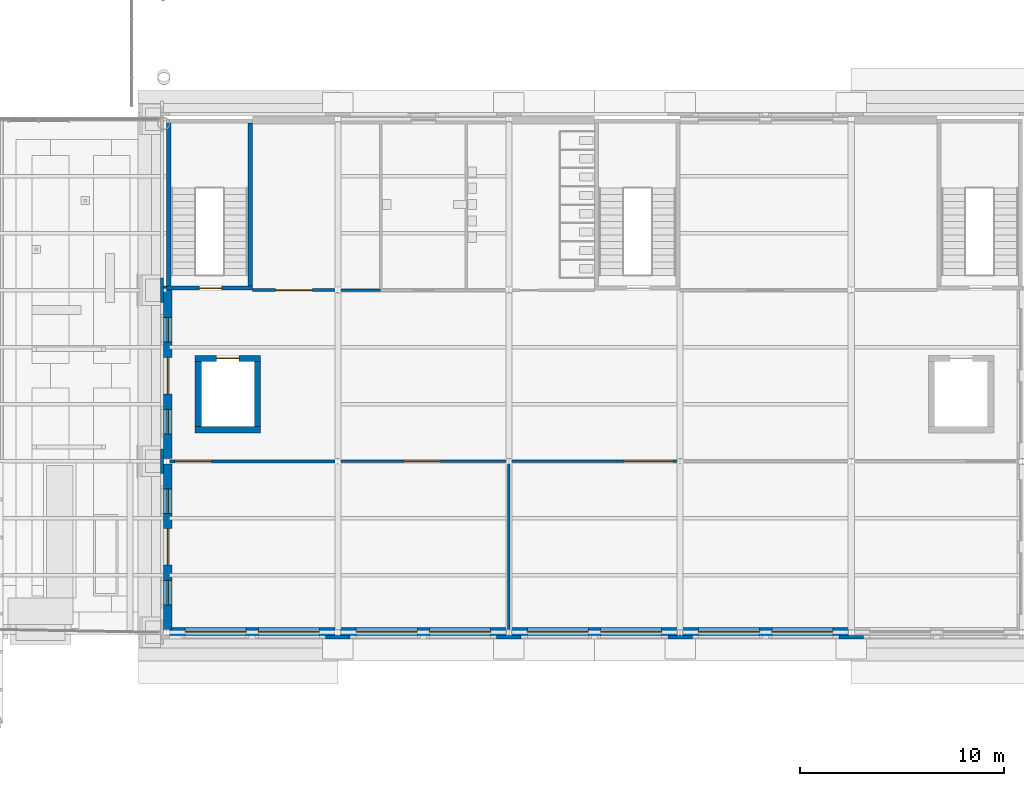
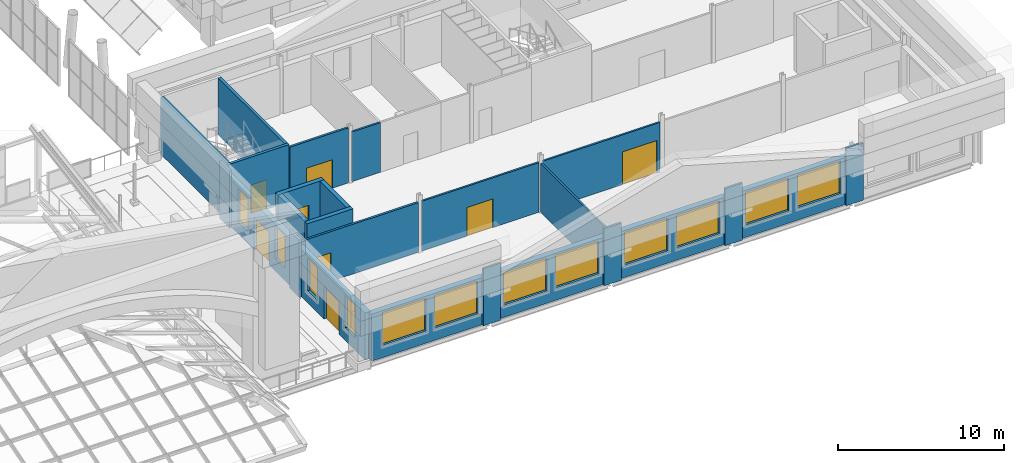
# One storey, part 43 of 76: 25 walls, 12 windows, 8 doors, 20 openings.
"""IFC4 building model written with IfcOpenShell, lengths in metres."""

from ifc_helpers import new_model, si_unit, direction, frame, frame_2d, origin, place, context, subcontext, project, spatial, rectangle, extrude, material, layer, layer_set, type_object, element, fill, save


model = new_model("IFC4")

# Units and contexts
model_context = context("Model", 3, precision=1e-05, world=origin(), true_north=direction((0.0, 1.0)))
body_context = subcontext(model_context, "Body", "Model", "MODEL_VIEW")
ifc_project = project(units=[si_unit("LENGTHUNIT", "METRE"), si_unit("AREAUNIT", "SQUARE_METRE"), si_unit("VOLUMEUNIT", "CUBIC_METRE"), si_unit("PLANEANGLEUNIT", "RADIAN"), si_unit("MASSUNIT", "GRAM", prefix="KILO")], contexts=[model_context])

# Site, building, storey
site_placement = place(None, origin())
site = spatial("IfcSite", under=ifc_project, at=site_placement, CompositionType="ELEMENT")
building_placement = place(site_placement, origin())
building = spatial("IfcBuilding", under=site, at=building_placement, Name="Sava Quay Ferry Terminal", CompositionType="ELEMENT")
storey_placement = place(building_placement, frame((0.0, 0.0, 10.800048828125)))
storey = spatial("IfcBuildingStorey", under=building, at=storey_placement, Name="L02", CompositionType="ELEMENT", Elevation=10.800048828125)

# Walls
ifc_material_1 = material(Name="Limestone Mutalj", Category="masonry")
ifc_layer_1 = layer(ifc_material_1, 0.14990234375)
ifc_layer_set_1 = layer_set([ifc_layer_1], Name="Limestone Mutalj")
wall_type_1 = type_object("IfcWallType", Name="Pier cladding 150", PredefinedType="SOLIDWALL", material=ifc_layer_set_1)
for number, where, z_axis, x_axis, name in (
    (1, (91.800048828125, 24.965087890625, 0.0), (0.0, 0.0, 1.0), (1.0, 0.0, 0.0), "Pier P-S grid 92.4"),
    (2, (100.199951171875, 24.965087890625, 0.0), (0.0, 0.0, 1.0), (1.0, 0.0, 0.0), "Pier P-S grid 100.8"),
    (3, (108.60009765625, 24.965087890625, 0.0), (0.0, 0.0, 1.0), (1.0, 0.0, 0.0), "Pier P-S grid 109.2"),
    (4, (117.0, 24.965087890625, 0.0), (0.0, 0.0, 1.0), (1.0, 0.0, 0.0), "Pier P-S grid 117.6"),
    (5, (83.77490234375, 33.0, 0.0), (0.0, 0.0, 1.0), (0.0, 1.0, 0.0), "Pier P-W grid 33.6"),
):
    element("IfcWall", number, at=place(storey_placement, frame(where, z_axis=z_axis, x_axis=x_axis)), inside=storey, type_object=wall_type_1, Name=name, PredefinedType="SOLIDWALL", context=body_context, shape_type="SweptSolid", body=[
        extrude(rectangle(XDim=1.199951171875, YDim=0.14990234375, at=frame_2d((0.60009765625, 0.0))), origin(), (0.0, 0.0, 1.0), 4.199951171875),
    ])
wall_1_placement = place(storey_placement, frame((83.77490234375, 41.39990234375, 0.0), z_axis=(0.0, 0.0, 1.0), x_axis=(0.0, 1.0, 0.0)))
element("IfcWall", 6, at=wall_1_placement, inside=storey, type_object=wall_type_1, Name="Pier P-W grid 42", PredefinedType="SOLIDWALL", context=body_context, shape_type="SweptSolid", body=[
    extrude(rectangle(XDim=1.2001953125, YDim=0.14990234375, at=frame_2d((0.60009765625, 0.0))), origin(), (0.0, 0.0, 1.0), 4.199951171875),
])

# Wall, opening, door
ifc_material_2 = material(Name="Masonry blockwork", Category="masonry")
ifc_layer_2 = layer(ifc_material_2, 0.14990234375)
ifc_layer_set_2 = layer_set([ifc_layer_2], Name="Masonry blockwork")
wall_type_2 = type_object("IfcWallType", Name="Plant, store and lobby wall, blockwork 150", PredefinedType="PARTITIONING", material=ifc_layer_set_2)
wall_2_placement = place(storey_placement, frame((84.1298828125, 33.60009765625, 0.0), z_axis=(0.0, 0.0, 1.0), x_axis=(1.0, 0.0, 0.0)))
wall_2 = element("IfcWall", 7, at=wall_2_placement, inside=storey, type_object=wall_type_2, Name="Plant, store and lobby wall, blockwork 150", PredefinedType="PARTITIONING", context=body_context, shape_type="SweptSolid", body=[
    extrude(rectangle(XDim=8.14013671875, YDim=0.14990234375, at=frame_2d((4.070068359375, 0.0))), origin(), (0.0, 0.0, 1.0), 3.64990234375),
])
opening_1_placement = place(wall_2_placement, frame((0.27001953125, 0.0, 0.0)))
opening_1 = element("IfcOpeningElement", 8, at=opening_1_placement, cuts=wall_2, Name="Opening D0212", PredefinedType="OPENING", context=body_context, shape_type="SweptSolid", body=[
    extrude(rectangle(XDim=1.800048828125, YDim=2.10009765625, at=frame_2d((0.89990234375, 1.050048828125))), frame((0.0, 0.074951171875, 0.0), z_axis=(0.0, -1.0, 0.0), x_axis=(1.0, 0.0, 0.0)), (0.0, 0.0, 1.0), 0.14990234375),
])
ifc_material_3 = material(Name="Timber door set", Category="wood")
door_type_1 = type_object("IfcDoorType", Name="Double door 1800 x 2100", OperationType="NOTDEFINED", PredefinedType="DOOR", material=ifc_material_3)
door_1_placement = place(opening_1_placement, origin())
door_1 = element("IfcDoor", 9, at=door_1_placement, inside=storey, type_object=door_type_1, Name="Door D0212", OperationType="DOUBLE_DOOR_DOUBLE_SWING", OverallHeight=2.10009765625, OverallWidth=1.800048828125, PredefinedType="DOOR", context=body_context, shape_type="SweptSolid", body=[
    extrude(rectangle(XDim=1.800048828125, YDim=2.10009765625, at=frame_2d((0.89990234375, 1.050048828125))), frame((0.0, 0.02490234375, 0.0), z_axis=(0.0, -1.0, 0.0), x_axis=(1.0, 0.0, 0.0)), (0.0, 0.0, 1.0), 0.050048828125),
])
fill(opening_1, door_1)

wall_3_placement = place(storey_placement, frame((88.199951171875, 42.0, 0.0), z_axis=(0.0, 0.0, 1.0), x_axis=(1.0, 0.0, 0.0)))
wall_3 = element("IfcWall", 10, at=wall_3_placement, inside=storey, type_object=wall_type_2, Name="Plant, store and lobby wall, blockwork 150", PredefinedType="PARTITIONING", context=body_context, shape_type="SweptSolid", body=[
    extrude(rectangle(XDim=4.070068359375, YDim=0.14990234375, at=frame_2d((2.03515625, 0.0))), origin(), (0.0, 0.0, 1.0), 4.050048828125),
])
opening_2_placement = place(wall_3_placement, frame((1.14990234375, 0.0, 0.0)))
opening_2 = element("IfcOpeningElement", 11, at=opening_2_placement, cuts=wall_3, Name="Opening D0215", PredefinedType="OPENING", context=body_context, shape_type="SweptSolid", body=[
    extrude(rectangle(XDim=1.800048828125, YDim=2.10009765625, at=frame_2d((0.89990234375, 1.050048828125))), frame((0.0, 0.074951171875, 0.0), z_axis=(0.0, -1.0, 0.0), x_axis=(1.0, 0.0, 0.0)), (0.0, 0.0, 1.0), 0.14990234375),
])
door_2_placement = place(opening_2_placement, origin())
door_2 = element("IfcDoor", 12, at=door_2_placement, inside=storey, type_object=door_type_1, Name="Door D0215", OperationType="DOUBLE_DOOR_DOUBLE_SWING", OverallHeight=2.10009765625, OverallWidth=1.800048828125, PredefinedType="DOOR", context=body_context, shape_type="SweptSolid", body=[
    extrude(rectangle(XDim=1.800048828125, YDim=2.10009765625, at=frame_2d((0.89990234375, 1.050048828125))), frame((0.0, 0.02490234375, 0.0), z_axis=(0.0, -1.0, 0.0), x_axis=(1.0, 0.0, 0.0)), (0.0, 0.0, 1.0), 0.050048828125),
])
fill(opening_2, door_2)

ifc_material_4 = material(Name="Concrete C35/45", Category="concrete")
ifc_layer_3 = layer(ifc_material_4, 0.199951171875)
ifc_layer_set_3 = layer_set([ifc_layer_3], Name="Concrete C35/45")
wall_type_3 = type_object("IfcWallType", Name="RC core wall 200", PredefinedType="SHEAR", material=ifc_layer_set_3)
wall_4_placement = place(storey_placement, frame((84.0, 42.10009765625, 0.0), z_axis=(0.0, 0.0, 1.0), x_axis=(1.0, 0.0, 0.0)))
wall_4 = element("IfcWall", 13, at=wall_4_placement, inside=storey, type_object=wall_type_3, Name="Core wall ST-P1 S L02", PredefinedType="SHEAR", context=body_context, shape_type="SweptSolid", body=[
    extrude(rectangle(XDim=4.199951171875, YDim=0.199951171875, at=frame_2d((2.10009765625, 0.0))), origin(), (0.0, 0.0, 1.0), 4.199951171875),
])
opening_3_placement = place(wall_4_placement, frame((1.60009765625, 0.0, 0.0)))
opening_3 = element("IfcOpeningElement", 14, at=opening_3_placement, cuts=wall_4, Name="Opening DS0206", PredefinedType="OPENING", context=body_context, shape_type="SweptSolid", body=[
    extrude(rectangle(XDim=1.10009765625, YDim=2.10009765625, at=frame_2d((0.550048828125, 1.050048828125))), frame((0.0, 0.10009765625, 0.0), z_axis=(0.0, -1.0, 0.0), x_axis=(1.0, 0.0, 0.0)), (0.0, 0.0, 1.0), 0.199951171875),
])
ifc_material_5 = material(Name="Steel fire door set", Category="steel")
door_type_2 = type_object("IfcDoorType", Name="Stair fire door 1100 x 2100", OperationType="NOTDEFINED", PredefinedType="DOOR", material=ifc_material_5)
door_3_placement = place(opening_3_placement, origin())
door_3 = element("IfcDoor", 15, at=door_3_placement, inside=storey, type_object=door_type_2, Name="Door DS0206", OperationType="SINGLE_SWING_RIGHT", OverallHeight=2.10009765625, OverallWidth=1.10009765625, PredefinedType="DOOR", context=body_context, shape_type="SweptSolid", body=[
    extrude(rectangle(XDim=1.10009765625, YDim=2.10009765625, at=frame_2d((0.550048828125, 1.050048828125))), frame((0.0, 0.02490234375, 0.0), z_axis=(0.0, -1.0, 0.0), x_axis=(1.0, 0.0, 0.0)), (0.0, 0.0, 1.0), 0.050048828125),
])
fill(opening_3, door_3)

# Walls
for number, where, z_axis, x_axis, name in (
    (16, (84.10009765625, 42.199951171875, 0.0), (0.0, 0.0, 1.0), (0.0, 1.0, 0.0), "Core wall ST-P1 W L02"),
    (17, (88.10009765625, 42.199951171875, 0.0), (0.0, 0.0, 1.0), (0.0, 1.0, 0.0), "Core wall ST-P1 E L02"),
):
    element("IfcWall", number, at=place(storey_placement, frame(where, z_axis=z_axis, x_axis=x_axis)), inside=storey, type_object=wall_type_3, Name=name, PredefinedType="SHEAR", context=body_context, shape_type="SweptSolid", body=[
        extrude(rectangle(XDim=8.0, YDim=0.199951171875, at=frame_2d((4.0, 0.0))), origin(), (0.0, 0.0, 1.0), 4.199951171875),
    ])
ifc_material_6 = material(Name="Concrete C35/45", Category="concrete")
ifc_layer_4 = layer(ifc_material_6, 0.300048828125)
ifc_layer_set_4 = layer_set([ifc_layer_4], Name="Concrete C35/45")
wall_type_4 = type_object("IfcWallType", Name="RC core wall 300", PredefinedType="SHEAR", material=ifc_layer_set_4)
wall_5_placement = place(storey_placement, frame((85.39990234375, 35.14990234375, 0.0), z_axis=(0.0, 0.0, 1.0), x_axis=(1.0, 0.0, 0.0)))
element("IfcWall", 18, at=wall_5_placement, inside=storey, type_object=wall_type_4, Name="Core wall LF-P1 S L02", PredefinedType="SHEAR", context=body_context, shape_type="SweptSolid", body=[
    extrude(rectangle(XDim=3.2001953125, YDim=0.300048828125, at=frame_2d((1.60009765625, 0.0))), origin(), (0.0, 0.0, 1.0), 3.599853515625),
])

# Wall, opening, door
wall_6_placement = place(storey_placement, frame((85.39990234375, 38.64990234375, 0.0), z_axis=(0.0, 0.0, 1.0), x_axis=(1.0, 0.0, 0.0)))
wall_6 = element("IfcWall", 19, at=wall_6_placement, inside=storey, type_object=wall_type_4, Name="Core wall LF-P1 N L02", PredefinedType="SHEAR", context=body_context, shape_type="SweptSolid", body=[
    extrude(rectangle(XDim=3.2001953125, YDim=0.300048828125, at=frame_2d((1.60009765625, 0.0))), origin(), (0.0, 0.0, 1.0), 3.599853515625),
])
opening_4_placement = place(wall_6_placement, frame((1.050048828125, 0.0, 0.0)))
opening_4 = element("IfcOpeningElement", 20, at=opening_4_placement, cuts=wall_6, Name="Opening LD0203", PredefinedType="OPENING", context=body_context, shape_type="SweptSolid", body=[
    extrude(rectangle(XDim=1.10009765625, YDim=2.10009765625, at=frame_2d((0.550048828125, 1.050048828125))), frame((0.0, 0.14990234375, 0.0), z_axis=(0.0, -1.0, 0.0), x_axis=(1.0, 0.0, 0.0)), (0.0, 0.0, 1.0), 0.300048828125),
])
ifc_material_7 = material(Name="Stainless steel", Category="steel")
door_type_3 = type_object("IfcDoorType", Name="Lift landing door 1100 x 2100", OperationType="NOTDEFINED", PredefinedType="DOOR", material=ifc_material_7)
door_4_placement = place(opening_4_placement, origin())
door_4 = element("IfcDoor", 21, at=door_4_placement, inside=storey, type_object=door_type_3, Name="Door LD0203", OperationType="SLIDING_TO_LEFT", OverallHeight=2.10009765625, OverallWidth=1.10009765625, PredefinedType="DOOR", context=body_context, shape_type="SweptSolid", body=[
    extrude(rectangle(XDim=1.10009765625, YDim=2.10009765625, at=frame_2d((0.550048828125, 1.050048828125))), frame((0.0, 0.02490234375, 0.0), z_axis=(0.0, -1.0, 0.0), x_axis=(1.0, 0.0, 0.0)), (0.0, 0.0, 1.0), 0.050048828125),
])
fill(opening_4, door_4)

# Walls
for number, where, z_axis, x_axis, name in (
    (22, (85.550048828125, 35.300048828125, 0.0), (0.0, 0.0, 1.0), (0.0, 1.0, 0.0), "Core wall LF-P1 W L02"),
    (23, (88.449951171875, 35.300048828125, 0.0), (0.0, 0.0, 1.0), (0.0, 1.0, 0.0), "Core wall LF-P1 E L02"),
):
    element("IfcWall", number, at=place(storey_placement, frame(where, z_axis=z_axis, x_axis=x_axis)), inside=storey, type_object=wall_type_4, Name=name, PredefinedType="SHEAR", context=body_context, shape_type="SweptSolid", body=[
        extrude(rectangle(XDim=3.199951171875, YDim=0.300048828125, at=frame_2d((1.60009765625, 0.0))), origin(), (0.0, 0.0, 1.0), 3.599853515625),
    ])
ifc_material_8 = material(Name="Plasterboard on steel studs", Category="steel")
ifc_layer_5 = layer(ifc_material_8, 0.125)
ifc_layer_set_5 = layer_set([ifc_layer_5], Name="Plasterboard on steel studs")
wall_type_5 = type_object("IfcWallType", Name="Room partition, plasterboard on steel studs 125", PredefinedType="PARTITIONING", material=ifc_layer_set_5)
wall_7_placement = place(storey_placement, frame((100.800048828125, 25.330078125, 0.0), z_axis=(0.0, 0.0, 1.0), x_axis=(0.0, 1.0, 0.0)))
element("IfcWall", 24, at=wall_7_placement, inside=storey, type_object=wall_type_5, Name="Room partition, plasterboard on steel studs 125", PredefinedType="PARTITIONING", context=body_context, shape_type="SweptSolid", body=[
    extrude(rectangle(XDim=8.139892578125, YDim=0.125, at=frame_2d((4.06982421875, 0.0))), origin(), (0.0, 0.0, 1.0), 3.599853515625),
])

# Wall, opening, door
wall_8_placement = place(storey_placement, frame((92.530029296875, 33.60009765625, 0.0), z_axis=(0.0, 0.0, 1.0), x_axis=(1.0, 0.0, 0.0)))
wall_8 = element("IfcWall", 25, at=wall_8_placement, inside=storey, type_object=wall_type_5, Name="Room partition, plasterboard on steel studs 125", PredefinedType="PARTITIONING", context=body_context, shape_type="SweptSolid", body=[
    extrude(rectangle(XDim=8.139892578125, YDim=0.125, at=frame_2d((4.06982421875, 0.0))), origin(), (0.0, 0.0, 1.0), 3.64990234375),
])
opening_5_placement = place(wall_8_placement, frame((3.1201171875, 0.0, 0.0)))
opening_5 = element("IfcOpeningElement", 26, at=opening_5_placement, cuts=wall_8, Name="Opening D0211", PredefinedType="OPENING", context=body_context, shape_type="SweptSolid", body=[
    extrude(rectangle(XDim=1.800048828125, YDim=2.10009765625, at=frame_2d((0.89990234375, 1.050048828125))), frame((0.0, 0.0625, 0.0), z_axis=(0.0, -1.0, 0.0), x_axis=(1.0, 0.0, 0.0)), (0.0, 0.0, 1.0), 0.125),
])
door_5_placement = place(opening_5_placement, origin())
door_5 = element("IfcDoor", 27, at=door_5_placement, inside=storey, type_object=door_type_1, Name="Door D0211", OperationType="DOUBLE_DOOR_DOUBLE_SWING", OverallHeight=2.10009765625, OverallWidth=1.800048828125, PredefinedType="DOOR", context=body_context, shape_type="SweptSolid", body=[
    extrude(rectangle(XDim=1.800048828125, YDim=2.10009765625, at=frame_2d((0.89990234375, 1.050048828125))), frame((0.0, 0.02490234375, 0.0), z_axis=(0.0, -1.0, 0.0), x_axis=(1.0, 0.0, 0.0)), (0.0, 0.0, 1.0), 0.050048828125),
])
fill(opening_5, door_5)

wall_9_placement = place(storey_placement, frame((100.929931640625, 33.60009765625, 0.0), z_axis=(0.0, 0.0, 1.0), x_axis=(1.0, 0.0, 0.0)))
wall_9 = element("IfcWall", 28, at=wall_9_placement, inside=storey, type_object=wall_type_5, Name="Room partition, plasterboard on steel studs 125", PredefinedType="PARTITIONING", context=body_context, shape_type="SweptSolid", body=[
    extrude(rectangle(XDim=8.14013671875, YDim=0.125, at=frame_2d((4.070068359375, 0.0))), origin(), (0.0, 0.0, 1.0), 3.64990234375),
])
opening_6_placement = place(wall_9_placement, frame((5.52001953125, 0.0, 0.0)))
opening_6 = element("IfcOpeningElement", 29, at=opening_6_placement, cuts=wall_9, Name="Opening D0213", PredefinedType="OPENING", context=body_context, shape_type="SweptSolid", body=[
    extrude(rectangle(XDim=2.39990234375, YDim=2.39990234375, at=frame_2d((1.199951171875, 1.199951171875))), frame((0.0, 0.0625, 0.0), z_axis=(0.0, -1.0, 0.0), x_axis=(1.0, 0.0, 0.0)), (0.0, 0.0, 1.0), 0.125),
])
ifc_material_9 = material(Name="Timber door set", Category="wood")
door_type_4 = type_object("IfcDoorType", Name="Double door 2400 x 2400", OperationType="NOTDEFINED", PredefinedType="DOOR", material=ifc_material_9)
door_6_placement = place(opening_6_placement, origin())
door_6 = element("IfcDoor", 30, at=door_6_placement, inside=storey, type_object=door_type_4, Name="Door D0213", OperationType="DOUBLE_DOOR_DOUBLE_SWING", OverallHeight=2.39990234375, OverallWidth=2.39990234375, PredefinedType="DOOR", context=body_context, shape_type="SweptSolid", body=[
    extrude(rectangle(XDim=2.39990234375, YDim=2.39990234375, at=frame_2d((1.199951171875, 1.199951171875))), frame((0.0, 0.02490234375, 0.0), z_axis=(0.0, -1.0, 0.0), x_axis=(1.0, 0.0, 0.0)), (0.0, 0.0, 1.0), 0.050048828125),
])
fill(opening_6, door_6)

# Wall
wall_10_placement = place(storey_placement, frame((92.530029296875, 42.0, 0.0), z_axis=(0.0, 0.0, 1.0), x_axis=(1.0, 0.0, 0.0)))
element("IfcWall", 31, at=wall_10_placement, inside=storey, type_object=wall_type_5, Name="Room partition, plasterboard on steel studs 125", PredefinedType="PARTITIONING", context=body_context, shape_type="SweptSolid", body=[
    extrude(rectangle(XDim=1.969970703125, YDim=0.125, at=frame_2d((0.98486328125, 0.0))), origin(), (0.0, 0.0, 1.0), 3.64990234375),
])

# Wall, openings, windows
ifc_material_10 = material(Name="Sandstone Bela Voda", Category="masonry")
ifc_layer_6 = layer(ifc_material_10, 0.39990234375)
ifc_layer_set_6 = layer_set([ifc_layer_6], Name="Sandstone Bela Voda")
wall_type_6 = type_object("IfcWallType", Name="Sandstone ashlar infill 400", PredefinedType="SOLIDWALL", material=ifc_layer_set_6)
wall_11_placement = place(storey_placement, frame((84.1298828125, 25.239990234375, 0.0), z_axis=(0.0, 0.0, 1.0), x_axis=(1.0, 0.0, 0.0)))
wall_11 = element("IfcWall", 32, at=wall_11_placement, inside=storey, type_object=wall_type_6, Name="External wall P-S", PredefinedType="SOLIDWALL", context=body_context, shape_type="SweptSolid", body=[
    extrude(rectangle(XDim=8.14013671875, YDim=0.39990234375, at=frame_2d((4.070068359375, 0.0))), origin(), (0.0, 0.0, 1.0), 3.449951171875),
])
opening_7_placement = place(wall_11_placement, frame((0.77001953125, 0.0, 0.89990234375)))
opening_7 = element("IfcOpeningElement", 33, at=opening_7_placement, cuts=wall_11, Name="Opening W-C", PredefinedType="OPENING", context=body_context, shape_type="SweptSolid", body=[
    extrude(rectangle(XDim=3.0, YDim=2.39990234375, at=frame_2d((1.5, 1.199951171875))), frame((0.0, 0.199951171875, 0.0), z_axis=(0.0, -1.0, 0.0), x_axis=(1.0, 0.0, 0.0)), (0.0, 0.0, 1.0), 0.39990234375),
])
opening_8_placement = place(wall_11_placement, frame((4.3701171875, 0.0, 0.89990234375)))
opening_8 = element("IfcOpeningElement", 34, at=opening_8_placement, cuts=wall_11, Name="Opening W-C", PredefinedType="OPENING", context=body_context, shape_type="SweptSolid", body=[
    extrude(rectangle(XDim=3.0, YDim=2.39990234375, at=frame_2d((1.5, 1.199951171875))), frame((0.0, 0.199951171875, 0.0), z_axis=(0.0, -1.0, 0.0), x_axis=(1.0, 0.0, 0.0)), (0.0, 0.0, 1.0), 0.39990234375),
])
ifc_material_11 = material(Name="Aluminium bronze anodised frame, glazing double low-e Ug 1.1", Category="aluminium")
window_type_1 = type_object("IfcWindowType", Name="Attic-storey window 3000x2400", PartitioningType="SINGLE_PANEL", PredefinedType="WINDOW", material=ifc_material_11)
window_1_placement = place(opening_7_placement, origin())
window_1 = element("IfcWindow", 35, at=window_1_placement, inside=storey, type_object=window_type_1, Name="Window W-C", OverallHeight=2.39990234375, OverallWidth=3.0, PartitioningType="SINGLE_PANEL", PredefinedType="WINDOW", context=body_context, shape_type="SweptSolid", body=[
    extrude(rectangle(XDim=3.0, YDim=2.39990234375, at=frame_2d((1.5, 1.199951171875))), frame((0.0, 0.030029296875, 0.0), z_axis=(0.0, -1.0, 0.0), x_axis=(1.0, 0.0, 0.0)), (0.0, 0.0, 1.0), 0.06005859375),
])
fill(opening_7, window_1)
window_2_placement = place(opening_8_placement, origin())
window_2 = element("IfcWindow", 36, at=window_2_placement, inside=storey, type_object=window_type_1, Name="Window W-C", OverallHeight=2.39990234375, OverallWidth=3.0, PartitioningType="SINGLE_PANEL", PredefinedType="WINDOW", context=body_context, shape_type="SweptSolid", body=[
    extrude(rectangle(XDim=3.0, YDim=2.39990234375, at=frame_2d((1.5, 1.199951171875))), frame((0.0, 0.030029296875, 0.0), z_axis=(0.0, -1.0, 0.0), x_axis=(1.0, 0.0, 0.0)), (0.0, 0.0, 1.0), 0.06005859375),
])
fill(opening_8, window_2)

wall_12_placement = place(storey_placement, frame((92.530029296875, 25.239990234375, 0.0), z_axis=(0.0, 0.0, 1.0), x_axis=(1.0, 0.0, 0.0)))
wall_12 = element("IfcWall", 37, at=wall_12_placement, inside=storey, type_object=wall_type_6, Name="External wall P-S", PredefinedType="SOLIDWALL", context=body_context, shape_type="SweptSolid", body=[
    extrude(rectangle(XDim=8.139892578125, YDim=0.39990234375, at=frame_2d((4.06982421875, 0.0))), origin(), (0.0, 0.0, 1.0), 3.449951171875),
])
opening_9_placement = place(wall_12_placement, frame((0.77001953125, 0.0, 0.89990234375)))
opening_9 = element("IfcOpeningElement", 38, at=opening_9_placement, cuts=wall_12, Name="Opening W-C", PredefinedType="OPENING", context=body_context, shape_type="SweptSolid", body=[
    extrude(rectangle(XDim=3.0, YDim=2.39990234375, at=frame_2d((1.5, 1.199951171875))), frame((0.0, 0.199951171875, 0.0), z_axis=(0.0, -1.0, 0.0), x_axis=(1.0, 0.0, 0.0)), (0.0, 0.0, 1.0), 0.39990234375),
])
opening_10_placement = place(wall_12_placement, frame((4.3701171875, 0.0, 0.89990234375)))
opening_10 = element("IfcOpeningElement", 39, at=opening_10_placement, cuts=wall_12, Name="Opening W-C", PredefinedType="OPENING", context=body_context, shape_type="SweptSolid", body=[
    extrude(rectangle(XDim=3.0, YDim=2.39990234375, at=frame_2d((1.5, 1.199951171875))), frame((0.0, 0.199951171875, 0.0), z_axis=(0.0, -1.0, 0.0), x_axis=(1.0, 0.0, 0.0)), (0.0, 0.0, 1.0), 0.39990234375),
])
window_3_placement = place(opening_9_placement, origin())
window_3 = element("IfcWindow", 40, at=window_3_placement, inside=storey, type_object=window_type_1, Name="Window W-C", OverallHeight=2.39990234375, OverallWidth=3.0, PartitioningType="SINGLE_PANEL", PredefinedType="WINDOW", context=body_context, shape_type="SweptSolid", body=[
    extrude(rectangle(XDim=3.0, YDim=2.39990234375, at=frame_2d((1.5, 1.199951171875))), frame((0.0, 0.030029296875, 0.0), z_axis=(0.0, -1.0, 0.0), x_axis=(1.0, 0.0, 0.0)), (0.0, 0.0, 1.0), 0.06005859375),
])
fill(opening_9, window_3)
window_4_placement = place(opening_10_placement, origin())
window_4 = element("IfcWindow", 41, at=window_4_placement, inside=storey, type_object=window_type_1, Name="Window W-C", OverallHeight=2.39990234375, OverallWidth=3.0, PartitioningType="SINGLE_PANEL", PredefinedType="WINDOW", context=body_context, shape_type="SweptSolid", body=[
    extrude(rectangle(XDim=3.0, YDim=2.39990234375, at=frame_2d((1.5, 1.199951171875))), frame((0.0, 0.030029296875, 0.0), z_axis=(0.0, -1.0, 0.0), x_axis=(1.0, 0.0, 0.0)), (0.0, 0.0, 1.0), 0.06005859375),
])
fill(opening_10, window_4)

wall_13_placement = place(storey_placement, frame((100.929931640625, 25.239990234375, 0.0), z_axis=(0.0, 0.0, 1.0), x_axis=(1.0, 0.0, 0.0)))
wall_13 = element("IfcWall", 42, at=wall_13_placement, inside=storey, type_object=wall_type_6, Name="External wall P-S", PredefinedType="SOLIDWALL", context=body_context, shape_type="SweptSolid", body=[
    extrude(rectangle(XDim=8.14013671875, YDim=0.39990234375, at=frame_2d((4.070068359375, 0.0))), origin(), (0.0, 0.0, 1.0), 3.449951171875),
])
opening_11_placement = place(wall_13_placement, frame((0.77001953125, 0.0, 0.89990234375)))
opening_11 = element("IfcOpeningElement", 43, at=opening_11_placement, cuts=wall_13, Name="Opening W-C", PredefinedType="OPENING", context=body_context, shape_type="SweptSolid", body=[
    extrude(rectangle(XDim=3.0, YDim=2.39990234375, at=frame_2d((1.5, 1.199951171875))), frame((0.0, 0.199951171875, 0.0), z_axis=(0.0, -1.0, 0.0), x_axis=(1.0, 0.0, 0.0)), (0.0, 0.0, 1.0), 0.39990234375),
])
opening_12_placement = place(wall_13_placement, frame((4.3701171875, 0.0, 0.89990234375)))
opening_12 = element("IfcOpeningElement", 44, at=opening_12_placement, cuts=wall_13, Name="Opening W-C", PredefinedType="OPENING", context=body_context, shape_type="SweptSolid", body=[
    extrude(rectangle(XDim=3.0, YDim=2.39990234375, at=frame_2d((1.5, 1.199951171875))), frame((0.0, 0.199951171875, 0.0), z_axis=(0.0, -1.0, 0.0), x_axis=(1.0, 0.0, 0.0)), (0.0, 0.0, 1.0), 0.39990234375),
])
window_5_placement = place(opening_11_placement, origin())
window_5 = element("IfcWindow", 45, at=window_5_placement, inside=storey, type_object=window_type_1, Name="Window W-C", OverallHeight=2.39990234375, OverallWidth=3.0, PartitioningType="SINGLE_PANEL", PredefinedType="WINDOW", context=body_context, shape_type="SweptSolid", body=[
    extrude(rectangle(XDim=3.0, YDim=2.39990234375, at=frame_2d((1.5, 1.199951171875))), frame((0.0, 0.030029296875, 0.0), z_axis=(0.0, -1.0, 0.0), x_axis=(1.0, 0.0, 0.0)), (0.0, 0.0, 1.0), 0.06005859375),
])
fill(opening_11, window_5)
window_6_placement = place(opening_12_placement, origin())
window_6 = element("IfcWindow", 46, at=window_6_placement, inside=storey, type_object=window_type_1, Name="Window W-C", OverallHeight=2.39990234375, OverallWidth=3.0, PartitioningType="SINGLE_PANEL", PredefinedType="WINDOW", context=body_context, shape_type="SweptSolid", body=[
    extrude(rectangle(XDim=3.0, YDim=2.39990234375, at=frame_2d((1.5, 1.199951171875))), frame((0.0, 0.030029296875, 0.0), z_axis=(0.0, -1.0, 0.0), x_axis=(1.0, 0.0, 0.0)), (0.0, 0.0, 1.0), 0.06005859375),
])
fill(opening_12, window_6)

wall_14_placement = place(storey_placement, frame((109.330078125, 25.239990234375, 0.0), z_axis=(0.0, 0.0, 1.0), x_axis=(1.0, 0.0, 0.0)))
wall_14 = element("IfcWall", 47, at=wall_14_placement, inside=storey, type_object=wall_type_6, Name="External wall P-S", PredefinedType="SOLIDWALL", context=body_context, shape_type="SweptSolid", body=[
    extrude(rectangle(XDim=8.139892578125, YDim=0.39990234375, at=frame_2d((4.06982421875, 0.0))), origin(), (0.0, 0.0, 1.0), 3.449951171875),
])
opening_13_placement = place(wall_14_placement, frame((0.77001953125, 0.0, 0.89990234375)))
opening_13 = element("IfcOpeningElement", 48, at=opening_13_placement, cuts=wall_14, Name="Opening W-C", PredefinedType="OPENING", context=body_context, shape_type="SweptSolid", body=[
    extrude(rectangle(XDim=3.0, YDim=2.39990234375, at=frame_2d((1.5, 1.199951171875))), frame((0.0, 0.199951171875, 0.0), z_axis=(0.0, -1.0, 0.0), x_axis=(1.0, 0.0, 0.0)), (0.0, 0.0, 1.0), 0.39990234375),
])
opening_14_placement = place(wall_14_placement, frame((4.3701171875, 0.0, 0.89990234375)))
opening_14 = element("IfcOpeningElement", 49, at=opening_14_placement, cuts=wall_14, Name="Opening W-C", PredefinedType="OPENING", context=body_context, shape_type="SweptSolid", body=[
    extrude(rectangle(XDim=3.0, YDim=2.39990234375, at=frame_2d((1.5, 1.199951171875))), frame((0.0, 0.199951171875, 0.0), z_axis=(0.0, -1.0, 0.0), x_axis=(1.0, 0.0, 0.0)), (0.0, 0.0, 1.0), 0.39990234375),
])
window_7_placement = place(opening_13_placement, origin())
window_7 = element("IfcWindow", 50, at=window_7_placement, inside=storey, type_object=window_type_1, Name="Window W-C", OverallHeight=2.39990234375, OverallWidth=3.0, PartitioningType="SINGLE_PANEL", PredefinedType="WINDOW", context=body_context, shape_type="SweptSolid", body=[
    extrude(rectangle(XDim=3.0, YDim=2.39990234375, at=frame_2d((1.5, 1.199951171875))), frame((0.0, 0.030029296875, 0.0), z_axis=(0.0, -1.0, 0.0), x_axis=(1.0, 0.0, 0.0)), (0.0, 0.0, 1.0), 0.06005859375),
])
fill(opening_13, window_7)
window_8_placement = place(opening_14_placement, origin())
window_8 = element("IfcWindow", 51, at=window_8_placement, inside=storey, type_object=window_type_1, Name="Window W-C", OverallHeight=2.39990234375, OverallWidth=3.0, PartitioningType="SINGLE_PANEL", PredefinedType="WINDOW", context=body_context, shape_type="SweptSolid", body=[
    extrude(rectangle(XDim=3.0, YDim=2.39990234375, at=frame_2d((1.5, 1.199951171875))), frame((0.0, 0.030029296875, 0.0), z_axis=(0.0, -1.0, 0.0), x_axis=(1.0, 0.0, 0.0)), (0.0, 0.0, 1.0), 0.06005859375),
])
fill(opening_14, window_8)

# Wall, openings, door, windows
wall_15_placement = place(storey_placement, frame((84.050048828125, 25.330078125, 0.0), z_axis=(0.0, 0.0, 1.0), x_axis=(0.0, 1.0, 0.0)))
wall_15 = element("IfcWall", 52, at=wall_15_placement, inside=storey, type_object=wall_type_6, Name="External wall P-W", PredefinedType="SOLIDWALL", context=body_context, shape_type="SweptSolid", body=[
    extrude(rectangle(XDim=8.139892578125, YDim=0.39990234375, at=frame_2d((4.06982421875, 0.0))), origin(), (0.0, 0.0, 1.0), 3.449951171875),
])
opening_15_placement = place(wall_15_placement, frame((3.169921875, 0.0, 0.0)))
opening_15 = element("IfcOpeningElement", 53, at=opening_15_placement, cuts=wall_15, Name="Opening DTA1", PredefinedType="OPENING", context=body_context, shape_type="SweptSolid", body=[
    extrude(rectangle(XDim=1.800048828125, YDim=2.39990234375, at=frame_2d((0.89990234375, 1.199951171875))), frame((0.0, 0.199951171875, 0.0), z_axis=(0.0, -1.0, 0.0), x_axis=(1.0, 0.0, 0.0)), (0.0, 0.0, 1.0), 0.39990234375),
])
opening_16_placement = place(wall_15_placement, frame((1.219970703125, 0.0, 0.89990234375)))
opening_16 = element("IfcOpeningElement", 54, at=opening_16_placement, cuts=wall_15, Name="Opening W-E2", PredefinedType="OPENING", context=body_context, shape_type="SweptSolid", body=[
    extrude(rectangle(XDim=1.199951171875, YDim=2.39990234375, at=frame_2d((0.60009765625, 1.199951171875))), frame((0.0, 0.199951171875, 0.0), z_axis=(0.0, -1.0, 0.0), x_axis=(1.0, 0.0, 0.0)), (0.0, 0.0, 1.0), 0.39990234375),
])
opening_17_placement = place(wall_15_placement, frame((5.719970703125, 0.0, 0.89990234375)))
opening_17 = element("IfcOpeningElement", 55, at=opening_17_placement, cuts=wall_15, Name="Opening W-E2", PredefinedType="OPENING", context=body_context, shape_type="SweptSolid", body=[
    extrude(rectangle(XDim=1.199951171875, YDim=2.39990234375, at=frame_2d((0.60009765625, 1.199951171875))), frame((0.0, 0.199951171875, 0.0), z_axis=(0.0, -1.0, 0.0), x_axis=(1.0, 0.0, 0.0)), (0.0, 0.0, 1.0), 0.39990234375),
])
ifc_material_12 = material(Name="Aluminium bronze anodised, glazing safety laminated", Category="aluminium")
door_type_5 = type_object("IfcDoorType", Name="Exit double door 1800x2400", OperationType="DOUBLE_DOOR_SINGLE_SWING", PredefinedType="DOOR", material=ifc_material_12)
door_7_placement = place(opening_15_placement, origin())
door_7 = element("IfcDoor", 56, at=door_7_placement, inside=storey, type_object=door_type_5, Name="Door DTA1", OperationType="DOUBLE_DOOR_SINGLE_SWING", OverallHeight=2.39990234375, OverallWidth=1.800048828125, PredefinedType="DOOR", context=body_context, shape_type="SweptSolid", body=[
    extrude(rectangle(XDim=1.800048828125, YDim=2.39990234375, at=frame_2d((0.89990234375, 1.199951171875))), frame((0.0, 0.02490234375, 0.0), z_axis=(0.0, -1.0, 0.0), x_axis=(1.0, 0.0, 0.0)), (0.0, 0.0, 1.0), 0.050048828125),
])
fill(opening_15, door_7)
ifc_material_13 = material(Name="Aluminium bronze anodised frame, glazing double low-e Ug 1.1", Category="aluminium")
window_type_2 = type_object("IfcWindowType", Name="Upper sidelight 1200x2400", PartitioningType="SINGLE_PANEL", PredefinedType="WINDOW", material=ifc_material_13)
window_9_placement = place(opening_16_placement, origin())
window_9 = element("IfcWindow", 57, at=window_9_placement, inside=storey, type_object=window_type_2, Name="Window W-E2", OverallHeight=2.39990234375, OverallWidth=1.199951171875, PartitioningType="SINGLE_PANEL", PredefinedType="WINDOW", context=body_context, shape_type="SweptSolid", body=[
    extrude(rectangle(XDim=1.199951171875, YDim=2.39990234375, at=frame_2d((0.60009765625, 1.199951171875))), frame((0.0, 0.030029296875, 0.0), z_axis=(0.0, -1.0, 0.0), x_axis=(1.0, 0.0, 0.0)), (0.0, 0.0, 1.0), 0.06005859375),
])
fill(opening_16, window_9)
window_10_placement = place(opening_17_placement, origin())
window_10 = element("IfcWindow", 58, at=window_10_placement, inside=storey, type_object=window_type_2, Name="Window W-E2", OverallHeight=2.39990234375, OverallWidth=1.199951171875, PartitioningType="SINGLE_PANEL", PredefinedType="WINDOW", context=body_context, shape_type="SweptSolid", body=[
    extrude(rectangle(XDim=1.199951171875, YDim=2.39990234375, at=frame_2d((0.60009765625, 1.199951171875))), frame((0.0, 0.030029296875, 0.0), z_axis=(0.0, -1.0, 0.0), x_axis=(1.0, 0.0, 0.0)), (0.0, 0.0, 1.0), 0.06005859375),
])
fill(opening_17, window_10)

wall_16_placement = place(storey_placement, frame((84.050048828125, 33.72998046875, 0.0), z_axis=(0.0, 0.0, 1.0), x_axis=(0.0, 1.0, 0.0)))
wall_16 = element("IfcWall", 59, at=wall_16_placement, inside=storey, type_object=wall_type_6, Name="External wall P-W", PredefinedType="SOLIDWALL", context=body_context, shape_type="SweptSolid", body=[
    extrude(rectangle(XDim=8.469970703125, YDim=0.39990234375, at=frame_2d((4.23486328125, 0.0))), origin(), (0.0, 0.0, 1.0), 3.449951171875),
])
opening_18_placement = place(wall_16_placement, frame((3.169921875, 0.0, 0.0)))
opening_18 = element("IfcOpeningElement", 60, at=opening_18_placement, cuts=wall_16, Name="Opening DTA2", PredefinedType="OPENING", context=body_context, shape_type="SweptSolid", body=[
    extrude(rectangle(XDim=1.800048828125, YDim=2.39990234375, at=frame_2d((0.89990234375, 1.199951171875))), frame((0.0, 0.199951171875, 0.0), z_axis=(0.0, -1.0, 0.0), x_axis=(1.0, 0.0, 0.0)), (0.0, 0.0, 1.0), 0.39990234375),
])
opening_19_placement = place(wall_16_placement, frame((1.219970703125, 0.0, 0.89990234375)))
opening_19 = element("IfcOpeningElement", 61, at=opening_19_placement, cuts=wall_16, Name="Opening W-E2", PredefinedType="OPENING", context=body_context, shape_type="SweptSolid", body=[
    extrude(rectangle(XDim=1.199951171875, YDim=2.39990234375, at=frame_2d((0.60009765625, 1.199951171875))), frame((0.0, 0.199951171875, 0.0), z_axis=(0.0, -1.0, 0.0), x_axis=(1.0, 0.0, 0.0)), (0.0, 0.0, 1.0), 0.39990234375),
])
opening_20_placement = place(wall_16_placement, frame((5.719970703125, 0.0, 0.89990234375)))
opening_20 = element("IfcOpeningElement", 62, at=opening_20_placement, cuts=wall_16, Name="Opening W-E2", PredefinedType="OPENING", context=body_context, shape_type="SweptSolid", body=[
    extrude(rectangle(XDim=1.199951171875, YDim=2.39990234375, at=frame_2d((0.60009765625, 1.199951171875))), frame((0.0, 0.199951171875, 0.0), z_axis=(0.0, -1.0, 0.0), x_axis=(1.0, 0.0, 0.0)), (0.0, 0.0, 1.0), 0.39990234375),
])
door_8_placement = place(opening_18_placement, origin())
door_8 = element("IfcDoor", 63, at=door_8_placement, inside=storey, type_object=door_type_5, Name="Door DTA2", OperationType="DOUBLE_DOOR_SINGLE_SWING", OverallHeight=2.39990234375, OverallWidth=1.800048828125, PredefinedType="DOOR", context=body_context, shape_type="SweptSolid", body=[
    extrude(rectangle(XDim=1.800048828125, YDim=2.39990234375, at=frame_2d((0.89990234375, 1.199951171875))), frame((0.0, 0.02490234375, 0.0), z_axis=(0.0, -1.0, 0.0), x_axis=(1.0, 0.0, 0.0)), (0.0, 0.0, 1.0), 0.050048828125),
])
fill(opening_18, door_8)
window_11_placement = place(opening_19_placement, origin())
window_11 = element("IfcWindow", 64, at=window_11_placement, inside=storey, type_object=window_type_2, Name="Window W-E2", OverallHeight=2.39990234375, OverallWidth=1.199951171875, PartitioningType="SINGLE_PANEL", PredefinedType="WINDOW", context=body_context, shape_type="SweptSolid", body=[
    extrude(rectangle(XDim=1.199951171875, YDim=2.39990234375, at=frame_2d((0.60009765625, 1.199951171875))), frame((0.0, 0.030029296875, 0.0), z_axis=(0.0, -1.0, 0.0), x_axis=(1.0, 0.0, 0.0)), (0.0, 0.0, 1.0), 0.06005859375),
])
fill(opening_19, window_11)
window_12_placement = place(opening_20_placement, origin())
window_12 = element("IfcWindow", 65, at=window_12_placement, inside=storey, type_object=window_type_2, Name="Window W-E2", OverallHeight=2.39990234375, OverallWidth=1.199951171875, PartitioningType="SINGLE_PANEL", PredefinedType="WINDOW", context=body_context, shape_type="SweptSolid", body=[
    extrude(rectangle(XDim=1.199951171875, YDim=2.39990234375, at=frame_2d((0.60009765625, 1.199951171875))), frame((0.0, 0.030029296875, 0.0), z_axis=(0.0, -1.0, 0.0), x_axis=(1.0, 0.0, 0.0)), (0.0, 0.0, 1.0), 0.06005859375),
])
fill(opening_20, window_12)

save(model, "model.ifc")
